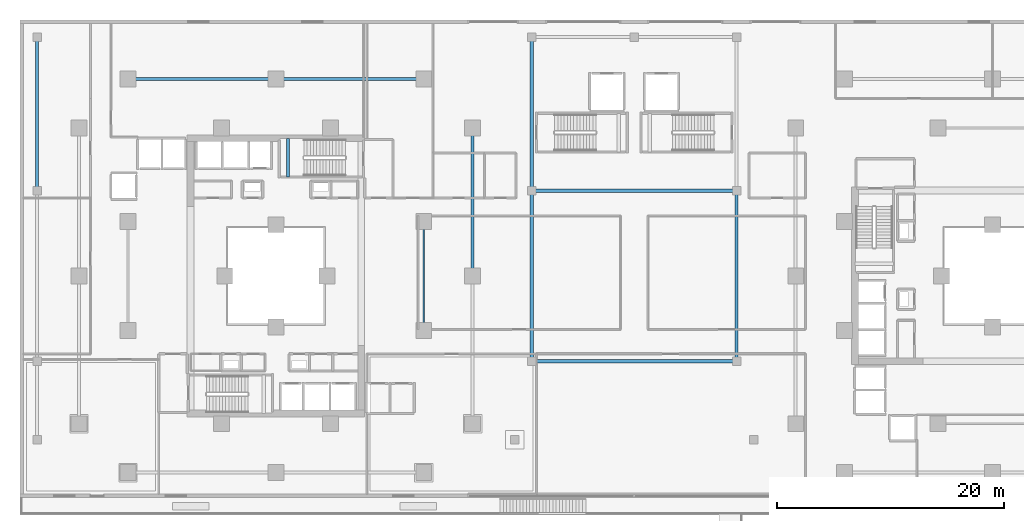
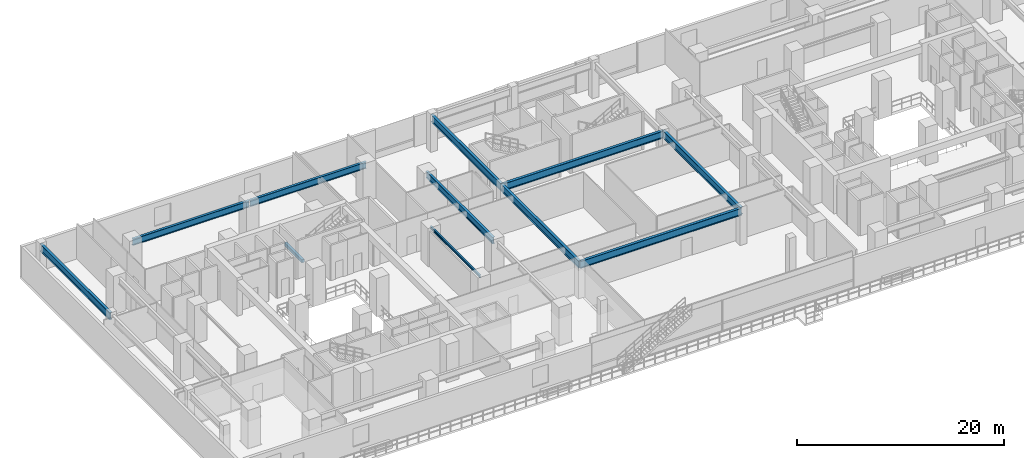
# One storey, part 5 of 25: 11 beams.
"""IFC4 building model written with IfcOpenShell, lengths in metres."""

from ifc_helpers import new_model, si_unit, direction, frame, origin, origin_2d, place, context, subcontext, project, spatial, rectangle, i_section, extrude, material, material_profile, profile_set, type_object, element, save


model = new_model("IFC4")

# Units and contexts
model_context = context("Model", 3, precision=1e-05, world=origin(), true_north=direction((0.0, 1.0)))
body_context = subcontext(model_context, "Body", "Model", "MODEL_VIEW")
ifc_project = project(units=[si_unit("LENGTHUNIT", "METRE"), si_unit("AREAUNIT", "SQUARE_METRE"), si_unit("VOLUMEUNIT", "CUBIC_METRE"), si_unit("PLANEANGLEUNIT", "RADIAN"), si_unit("MASSUNIT", "GRAM", prefix="KILO")], contexts=[model_context])

# Site, building, storey
site_placement = place(None, origin())
site = spatial("IfcSite", under=ifc_project, at=site_placement, CompositionType="ELEMENT")
building_placement = place(site_placement, origin())
building = spatial("IfcBuilding", under=site, at=building_placement, Name="Thornwick Lancets Civic Towers", CompositionType="ELEMENT")
storey_placement = place(building_placement, frame((0.0, 0.0, 9.60009765625)))
storey = spatial("IfcBuildingStorey", under=building, at=storey_placement, Name="L02", CompositionType="ELEMENT", Elevation=9.60009765625)

# Beams
ifc_material_1 = material(Name="Steel S355JR", Category="steel")
ifc_material_profile_1 = material_profile(ifc_material_1, i_section(OverallWidth=0.26806640625, OverallDepth=0.769775390625, WebThickness=0.015625, FlangeThickness=0.025390625, FilletRadius=0.0166015625, at=origin_2d()), Name="UKB 762x267x197")
ifc_profile_set_1 = profile_set([ifc_material_profile_1], Name="Steel S355JR")
beam_type_1 = type_object("IfcBeamType", Name="BM_GIRD_762_197", PredefinedType="BEAM", material=ifc_profile_set_1)
beam_1_placement = place(storey_placement, frame((42.800048828125, 27.080078125, 3.794921875), z_axis=(0.0, 1.0, 0.0), x_axis=(-1.0, 0.0, 0.0)))
element("IfcBeam", 1, at=beam_1_placement, inside=storey, type_object=beam_type_1, Name="BM-SPINE-L02-A-4-5", PredefinedType="BEAM", context=body_context, shape_type="SweptSolid", body=[
    extrude(i_section(OverallWidth=0.26806640625, OverallDepth=0.769775390625, WebThickness=0.015625, FlangeThickness=0.025390625, FilletRadius=0.0166015625, at=origin_2d()), origin(), (0.0, 0.0, 1.0), 12.919921875),
])
beam_2_placement = place(storey_placement, frame((12.5, 44.300048828125, 3.794921875), z_axis=(1.0, 0.0, 0.0), x_axis=(0.0, 1.0, 0.0)))
element("IfcBeam", 2, at=beam_2_placement, inside=storey, type_object=beam_type_1, Name="BM-SPINE-L02-A-6-7", PredefinedType="BEAM", context=body_context, shape_type="SweptSolid", body=[
    extrude(i_section(OverallWidth=0.26806640625, OverallDepth=0.769775390625, WebThickness=0.015625, FlangeThickness=0.025390625, FilletRadius=0.0166015625, at=origin_2d()), origin(), (0.0, 0.0, 1.0), 13.0),
])
beam_3_placement = place(storey_placement, frame((25.580078125, 44.300048828125, 3.794921875), z_axis=(1.0, 0.0, 0.0), x_axis=(0.0, 1.0, 0.0)))
element("IfcBeam", 3, at=beam_3_placement, inside=storey, type_object=beam_type_1, Name="BM-SPINE-L02-A-7-8", PredefinedType="BEAM", context=body_context, shape_type="SweptSolid", body=[
    extrude(i_section(OverallWidth=0.26806640625, OverallDepth=0.769775390625, WebThickness=0.015625, FlangeThickness=0.025390625, FilletRadius=0.0166015625, at=origin_2d()), origin(), (0.0, 0.0, 1.0), 12.919921875),
])
ifc_material_profile_2 = material_profile(ifc_material_1, i_section(OverallWidth=0.1669921875, OverallDepth=0.310302734375, WebThickness=0.0078125, FlangeThickness=0.013671875, FilletRadius=0.0087890625, at=origin_2d()), Name="UKB 305x165x54")
ifc_profile_set_2 = profile_set([ifc_material_profile_2], Name="Steel S355JR")
beam_type_2 = type_object("IfcBeamType", Name="BM_LINTEL_305_54", PredefinedType="LINTEL", material=ifc_profile_set_2)
beam_4_placement = place(storey_placement, frame((38.5, 22.199951171875, 4.024658203125), z_axis=(0.0, 1.0, 0.0), x_axis=(-1.0, 0.0, 0.0)))
element("IfcBeam", 4, at=beam_4_placement, inside=storey, type_object=beam_type_2, Name="BM-INSP-L02-A-1-3", PredefinedType="LINTEL", context=body_context, shape_type="SweptSolid", body=[
    extrude(i_section(OverallWidth=0.1669921875, OverallDepth=0.310302734375, WebThickness=0.0078125, FlangeThickness=0.013671875, FilletRadius=0.0087890625, at=origin_2d()), origin(), (0.0, 0.0, 1.0), 9.60009765625),
])
ifc_material_profile_3 = material_profile(ifc_material_1, i_section(OverallWidth=0.293701171875, OverallDepth=0.850830078125, WebThickness=0.01611328125, FlangeThickness=0.02685546875, FilletRadius=0.017822265625, at=origin_2d()), Name="UKB 838x292x226")
ifc_profile_set_3 = profile_set([ifc_material_profile_3], Name="Steel S355JR")
beam_type_3 = type_object("IfcBeamType", Name="BM_POD_838_226", PredefinedType="BEAM", material=ifc_profile_set_3)
beam_5_placement = place(storey_placement, frame((4.5, 34.580078125, 3.75439453125), z_axis=(0.0, 1.0, 0.0), x_axis=(-1.0, 0.0, 0.0)))
element("IfcBeam", 5, at=beam_5_placement, inside=storey, type_object=beam_type_3, Name="BM-PODG-L02-5-6", PredefinedType="BEAM", context=body_context, shape_type="SweptSolid", body=[
    extrude(i_section(OverallWidth=0.293701171875, OverallDepth=0.850830078125, WebThickness=0.01611328125, FlangeThickness=0.02685546875, FilletRadius=0.017822265625, at=origin_2d()), origin(), (0.0, 0.0, 1.0), 13.419921875),
])
beam_6_placement = place(storey_placement, frame((48.0, 19.5, 3.75439453125), z_axis=(1.0, 0.0, 0.0), x_axis=(0.0, 1.0, 0.0)))
element("IfcBeam", 6, at=beam_6_placement, inside=storey, type_object=beam_type_3, Name="BM-PODG-L02-7-8", PredefinedType="BEAM", context=body_context, shape_type="SweptSolid", body=[
    extrude(i_section(OverallWidth=0.293701171875, OverallDepth=0.850830078125, WebThickness=0.01611328125, FlangeThickness=0.02685546875, FilletRadius=0.017822265625, at=origin_2d()), origin(), (0.0, 0.0, 1.0), 18.0),
])
for number, where, z_axis, x_axis, name in (
    (7, (48.0, 19.5, 3.75439453125), (0.0, 1.0, 0.0), (-1.0, 0.0, 0.0), "BM-PODG-L02-7-9"),
    (8, (66.0, 19.5, 3.75439453125), (0.0, 1.0, 0.0), (-1.0, 0.0, 0.0), "BM-PODG-L02-8-10"),
):
    element("IfcBeam", number, at=place(storey_placement, frame(where, z_axis=z_axis, x_axis=x_axis)), inside=storey, type_object=beam_type_3, Name=name, PredefinedType="BEAM", context=body_context, shape_type="SweptSolid", body=[
        extrude(i_section(OverallWidth=0.293701171875, OverallDepth=0.850830078125, WebThickness=0.01611328125, FlangeThickness=0.02685546875, FilletRadius=0.017822265625, at=origin_2d()), origin(), (0.0, 0.0, 1.0), 15.0),
    ])
beam_7_placement = place(storey_placement, frame((48.0, 34.5, 3.75439453125), z_axis=(1.0, 0.0, 0.0), x_axis=(0.0, 1.0, 0.0)))
element("IfcBeam", 9, at=beam_7_placement, inside=storey, type_object=beam_type_3, Name="BM-PODG-L02-9-10", PredefinedType="BEAM", context=body_context, shape_type="SweptSolid", body=[
    extrude(i_section(OverallWidth=0.293701171875, OverallDepth=0.850830078125, WebThickness=0.01611328125, FlangeThickness=0.02685546875, FilletRadius=0.017822265625, at=origin_2d()), origin(), (0.0, 0.0, 1.0), 18.0),
])
beam_8_placement = place(storey_placement, frame((48.0, 34.580078125, 3.75439453125), z_axis=(0.0, 1.0, 0.0), x_axis=(-1.0, 0.0, 0.0)))
element("IfcBeam", 10, at=beam_8_placement, inside=storey, type_object=beam_type_3, Name="BM-PODG-L02-9-11", PredefinedType="BEAM", context=body_context, shape_type="SweptSolid", body=[
    extrude(i_section(OverallWidth=0.293701171875, OverallDepth=0.850830078125, WebThickness=0.01611328125, FlangeThickness=0.02685546875, FilletRadius=0.017822265625, at=origin_2d()), origin(), (0.0, 0.0, 1.0), 13.419921875),
])
ifc_material_2 = material(Name="Concrete C40/50", Category="concrete")
ifc_material_profile_4 = material_profile(ifc_material_2, rectangle(XDim=0.300048828125, YDim=0.35009765625, at=origin_2d()), Name="RC 300x350")
ifc_profile_set_4 = profile_set([ifc_material_profile_4], Name="Concrete C40/50")
beam_type_4 = type_object("IfcBeamType", Name="BM_STAIR_LDG", PredefinedType="BEAM", material=ifc_profile_set_4)
beam_9_placement = place(storey_placement, frame((26.56494140625, 39.10009765625, 1.827880859375), z_axis=(0.0, -1.0, 0.0), x_axis=(1.0, 0.0, 0.0)))
element("IfcBeam", 11, at=beam_9_placement, inside=storey, type_object=beam_type_4, Name="L02 ST-A2 Landing Support Beam 1", PredefinedType="BEAM", context=body_context, shape_type="SweptSolid", body=[
    extrude(rectangle(XDim=0.300048828125, YDim=0.35009765625, at=origin_2d()), origin(), (0.0, 0.0, 1.0), 3.400146484375),
])

save(model, "model.ifc")
